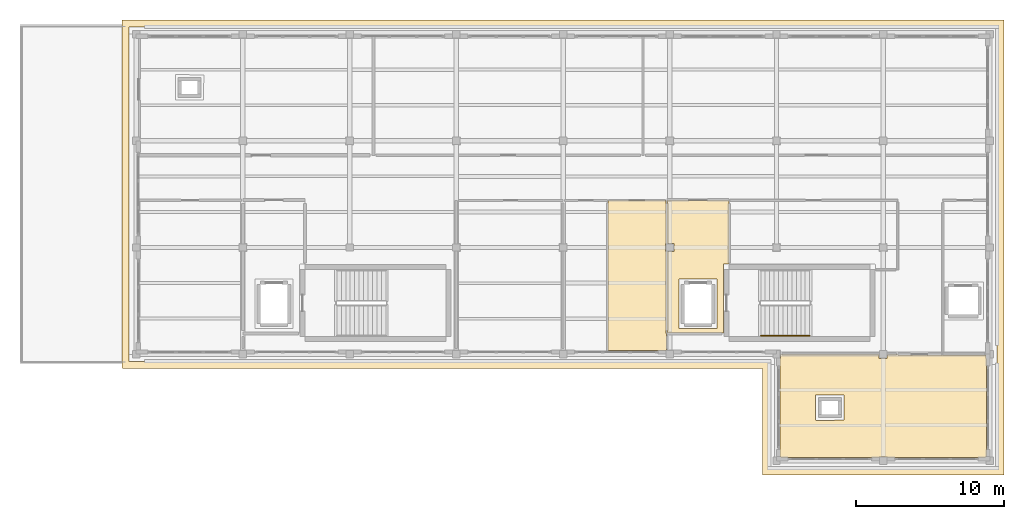
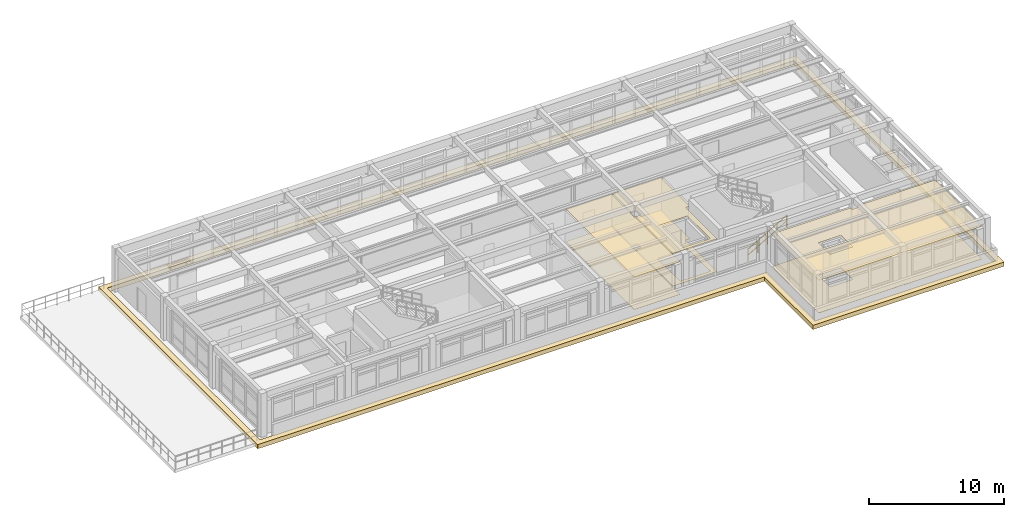
# One storey, part 17 of 18: 7 coverings, 1 railing.
"""IFC4 building model written with IfcOpenShell, lengths in metres."""

from ifc_helpers import new_model, si_unit, direction, frame, origin, origin_2d, place, context, subcontext, project, spatial, polyline, circle, outline, extrude, material, layer, layer_set, type_object, element, save


model = new_model("IFC4")

# Units and contexts
model_context = context("Model", 3, precision=1e-05, world=origin(), true_north=direction((0.0, 1.0)))
body_context = subcontext(model_context, "Body", "Model", "MODEL_VIEW")
ifc_project = project(units=[si_unit("LENGTHUNIT", "METRE"), si_unit("AREAUNIT", "SQUARE_METRE"), si_unit("VOLUMEUNIT", "CUBIC_METRE"), si_unit("PLANEANGLEUNIT", "RADIAN"), si_unit("MASSUNIT", "GRAM", prefix="KILO")], contexts=[model_context])

# Site, building, storey
site_placement = place(None, origin())
site = spatial("IfcSite", under=ifc_project, at=site_placement, CompositionType="ELEMENT")
building_placement = place(site_placement, origin())
building = spatial("IfcBuilding", under=site, at=building_placement, Name="Solenvale Faculty of Natural Sciences", CompositionType="ELEMENT")
storey_placement = place(building_placement, frame((0.0, 0.0, 39.60009765625)))
storey = spatial("IfcBuildingStorey", under=building, at=storey_placement, Name="L09", CompositionType="ELEMENT", Elevation=39.60009765625)

# Coverings
ifc_material_1 = material(Name="Acoustic mineral-timber ceiling", Category="wood")
ifc_layer_1 = layer(ifc_material_1, 0.02490234375)
ifc_layer_set_1 = layer_set([ifc_layer_1], Name="Acoustic mineral-timber ceiling")
covering_type_1 = type_object("IfcCoveringType", Name="COV-CEIL-AC25", PredefinedType="CEILING", material=ifc_layer_set_1)
covering_1_placement = place(storey_placement, frame((0.0, 0.0, 2.934814453125)))
element("IfcCovering", 1, at=covering_1_placement, inside=storey, type_object=covering_type_1, Name="L09 Firefighting Lobby C5 Acoustic Ceiling", PredefinedType="CEILING", context=body_context, shape_type="SweptSolid", body=[
    extrude(outline(polyline([(133.580078125, 99.7099609375), (133.555908203125, 99.680908203125), (133.248046875, 99.679931640625), (133.219970703125, 99.652099609375), (133.212890625, 95.031005859375), (133.18994140625, 95.02001953125), (129.430908203125, 95.027099609375), (129.419921875, 95.050048828125), (129.419921875, 100.498046875), (129.447021484375, 100.52490234375), (129.873046875, 100.529052734375), (129.875, 101.06396484375), (129.864013671875, 101.074951171875), (129.447021484375, 101.074951171875), (129.4208984375, 101.09912109375), (129.419921875, 103.949951171875), (129.428955078125, 103.970947265625), (129.449951171875, 103.97998046875), (133.550048828125, 103.97998046875), (133.571044921875, 103.970947265625), (133.580078125, 103.949951171875), (133.580078125, 99.7099609375)]), holes=[polyline([(130.248046875, 98.679931640625), (130.22802734375, 98.669921875), (130.219970703125, 98.64990234375), (130.22607421875, 95.33203125), (130.25, 95.320068359375), (132.76806640625, 95.325927734375), (132.780029296875, 95.35009765625), (132.77392578125, 98.66796875), (132.75, 98.679931640625), (130.248046875, 98.679931640625)])]), origin(), (0.0, 0.0, 1.0), 0.025146484375),
])
covering_2_placement = place(storey_placement, frame((0.0, 0.0, 2.934814453125)))
element("IfcCovering", 2, at=covering_2_placement, inside=storey, type_object=covering_type_1, Name="L09 Analytical Balance Room Acoustic Ceiling", PredefinedType="CEILING", context=body_context, shape_type="SweptSolid", body=[
    extrude(outline(polyline([(129.366943359375, 93.8798828125), (129.294921875, 93.840087890625), (125.469970703125, 93.840087890625), (125.44189453125, 93.85888671875), (125.43994140625, 103.929931640625), (125.458984375, 103.9580078125), (129.330078125, 103.9599609375), (129.35791015625, 103.94091796875), (129.360107421875, 101.10498046875), (129.324951171875, 101.06591796875), (129.324951171875, 100.535888671875), (129.360107421875, 100.4951171875), (129.360107421875, 95.0), (129.3798828125, 94.950927734375), (129.3798828125, 93.905029296875), (129.366943359375, 93.8798828125)])), origin(), (0.0, 0.0, 1.0), 0.025146484375),
])
covering_3_placement = place(storey_placement, frame((0.0, 0.0, 2.934814453125)))
element("IfcCovering", 3, at=covering_3_placement, inside=storey, type_object=covering_type_1, Name="L09 Seminar Room Acoustic Ceiling", PredefinedType="CEILING", context=body_context, shape_type="SweptSolid", body=[
    extrude(outline(polyline([(137.10498046875, 86.639892578125), (137.048095703125, 86.68408203125), (137.0400390625, 86.705078125), (137.0400390625, 93.294921875), (137.074951171875, 93.3330078125), (137.074951171875, 93.552978515625), (137.091064453125, 93.575927734375), (143.695068359375, 93.580078125), (143.72412109375, 93.555908203125), (143.72509765625, 93.3359375), (143.736083984375, 93.324951171875), (144.26904296875, 93.325927734375), (144.27490234375, 93.552978515625), (144.304931640625, 93.580078125), (144.950927734375, 93.580078125), (145.0, 93.56005859375), (150.89501953125, 93.56005859375), (150.9208984375, 93.5439453125), (150.925048828125, 93.3330078125), (150.9599609375, 93.294921875), (150.9599609375, 86.705078125), (150.909912109375, 86.64404296875), (144.304931640625, 86.639892578125), (144.26611328125, 86.675048828125), (143.736083984375, 86.675048828125), (143.695068359375, 86.639892578125), (137.10498046875, 86.639892578125)]), holes=[polyline([(139.43994140625, 89.16796875), (139.449951171875, 89.14794921875), (139.469970703125, 89.139892578125), (141.35009765625, 89.14794921875), (141.360107421875, 89.169921875), (141.35205078125, 90.85009765625), (141.330078125, 90.860107421875), (139.449951171875, 90.85205078125), (139.43994140625, 90.830078125), (139.43994140625, 89.16796875)])]), origin(), (0.0, 0.0, 1.0), 0.025146484375),
])
ifc_material_2 = material(Name="Polished slate terrazzo flooring", Category="masonry")
ifc_layer_2 = layer(ifc_material_2, 0.01806640625)
ifc_layer_set_2 = layer_set([ifc_layer_2], Name="Polished slate terrazzo flooring")
covering_type_2 = type_object("IfcCoveringType", Name="COV-FLR-TRZ18", PredefinedType="FLOORING", material=ifc_layer_set_2)
covering_4_placement = place(storey_placement, origin())
element("IfcCovering", 4, at=covering_4_placement, inside=storey, type_object=covering_type_2, Name="L09 Firefighting Lobby C5 Floor Finish", PredefinedType="FLOORING", context=body_context, shape_type="SweptSolid", body=[
    extrude(outline(polyline([(133.580078125, 99.7099609375), (133.555908203125, 99.680908203125), (133.248046875, 99.679931640625), (133.219970703125, 99.652099609375), (133.212890625, 95.031005859375), (133.18994140625, 95.02001953125), (129.430908203125, 95.027099609375), (129.419921875, 95.050048828125), (129.419921875, 100.498046875), (129.447021484375, 100.52490234375), (129.873046875, 100.529052734375), (129.875, 101.06396484375), (129.864013671875, 101.074951171875), (129.447021484375, 101.074951171875), (129.4208984375, 101.09912109375), (129.419921875, 103.949951171875), (129.428955078125, 103.970947265625), (129.449951171875, 103.97998046875), (133.550048828125, 103.97998046875), (133.571044921875, 103.970947265625), (133.580078125, 103.949951171875), (133.580078125, 99.7099609375)]), holes=[polyline([(130.248046875, 98.679931640625), (130.22802734375, 98.669921875), (130.219970703125, 98.64990234375), (130.22607421875, 95.33203125), (130.25, 95.320068359375), (132.76806640625, 95.325927734375), (132.780029296875, 95.35009765625), (132.77392578125, 98.66796875), (132.75, 98.679931640625), (130.248046875, 98.679931640625)])]), origin(), (0.0, 0.0, 1.0), 0.017822265625),
])
covering_5_placement = place(storey_placement, origin())
element("IfcCovering", 5, at=covering_5_placement, inside=storey, type_object=covering_type_2, Name="L09 Analytical Balance Room Floor Finish", PredefinedType="FLOORING", context=body_context, shape_type="SweptSolid", body=[
    extrude(outline(polyline([(129.366943359375, 93.8798828125), (129.294921875, 93.840087890625), (125.469970703125, 93.840087890625), (125.44189453125, 93.85888671875), (125.43994140625, 103.929931640625), (125.458984375, 103.9580078125), (129.330078125, 103.9599609375), (129.35791015625, 103.94091796875), (129.360107421875, 101.10498046875), (129.324951171875, 101.06591796875), (129.324951171875, 100.535888671875), (129.360107421875, 100.4951171875), (129.360107421875, 95.0), (129.3798828125, 94.950927734375), (129.3798828125, 93.905029296875), (129.366943359375, 93.8798828125)])), origin(), (0.0, 0.0, 1.0), 0.017822265625),
])
covering_6_placement = place(storey_placement, origin())
element("IfcCovering", 6, at=covering_6_placement, inside=storey, type_object=covering_type_2, Name="L09 Seminar Room Floor Finish", PredefinedType="FLOORING", context=body_context, shape_type="SweptSolid", body=[
    extrude(outline(polyline([(137.10498046875, 86.639892578125), (137.048095703125, 86.68408203125), (137.0400390625, 86.705078125), (137.0400390625, 93.294921875), (137.074951171875, 93.3330078125), (137.074951171875, 93.552978515625), (137.091064453125, 93.575927734375), (143.695068359375, 93.580078125), (143.72412109375, 93.555908203125), (143.72509765625, 93.3359375), (143.736083984375, 93.324951171875), (144.26904296875, 93.325927734375), (144.27490234375, 93.552978515625), (144.304931640625, 93.580078125), (144.950927734375, 93.580078125), (145.0, 93.56005859375), (150.89501953125, 93.56005859375), (150.9208984375, 93.5439453125), (150.925048828125, 93.3330078125), (150.9599609375, 93.294921875), (150.9599609375, 86.705078125), (150.909912109375, 86.64404296875), (144.304931640625, 86.639892578125), (144.26611328125, 86.675048828125), (143.736083984375, 86.675048828125), (143.695068359375, 86.639892578125), (137.10498046875, 86.639892578125)]), holes=[polyline([(139.43994140625, 89.16796875), (139.449951171875, 89.14794921875), (139.469970703125, 89.139892578125), (141.35009765625, 89.14794921875), (141.360107421875, 89.169921875), (141.35205078125, 90.85009765625), (141.330078125, 90.860107421875), (139.449951171875, 90.85205078125), (139.43994140625, 90.830078125), (139.43994140625, 89.16796875)])]), origin(), (0.0, 0.0, 1.0), 0.017822265625),
])
ifc_material_3 = material(Name="Insulated EPDM roofing membrane")
ifc_layer_3 = layer(ifc_material_3, 0.06494140625)
ifc_layer_set_3 = layer_set([ifc_layer_3], Name="Insulated EPDM roofing membrane")
covering_type_3 = type_object("IfcCoveringType", Name="COV-ROOF-MEMB", PredefinedType="ROOFING", material=ifc_layer_set_3)
covering_7_placement = place(storey_placement, frame((0.0, 0.0, -0.340087890625)))
element("IfcCovering", 7, at=covering_7_placement, inside=storey, type_object=covering_type_3, Name="L09 Projecting Horizontal Bronze Concrete Tray Ledge 1", PredefinedType="CLADDING", context=body_context, shape_type="SweptSolid", body=[
    extrude(outline(polyline([(92.669921875, 92.64990234375), (92.656005859375, 92.656005859375), (92.64990234375, 92.669921875), (92.64990234375, 116.1298828125), (92.662109375, 116.14794921875), (152.1298828125, 116.14990234375), (152.14794921875, 116.137939453125), (152.14990234375, 85.469970703125), (152.137939453125, 85.451904296875), (135.862060546875, 85.451904296875), (135.85009765625, 85.469970703125), (135.85009765625, 92.64990234375), (92.669921875, 92.64990234375)]), holes=[polyline([(93.1201171875, 93.1201171875), (136.302001953125, 93.1201171875), (136.31396484375, 93.114013671875), (136.320068359375, 93.10009765625), (136.320068359375, 85.919921875), (151.679931640625, 85.919921875), (151.679931640625, 115.679931640625), (93.1201171875, 115.679931640625), (93.1201171875, 93.1201171875)])]), origin(), (0.0, 0.0, 1.0), 0.3798828125),
])

# Railing
ifc_material_4 = material(Name="Stainless steel Grade 304", Category="steel")
railing_type = type_object("IfcRailingType", Name="RL-HND-900", PredefinedType="HANDRAIL", material=ifc_material_4)
railing_placement = place(storey_placement, frame((135.739990234375, 94.85009765625, 0.1748046875)))
element("IfcRailing", 8, at=railing_placement, inside=storey, type_object=railing_type, Name="L09 ST-05 stair handrail 1", PredefinedType="HANDRAIL", context=body_context, shape_type="SweptSolid", body=[
    extrude(circle(Radius=0.02392578125, at=origin_2d()), frame((0.0, 0.0, 1.0751953125), z_axis=(0.863776583165, 0.0, 0.503874998761), x_axis=(0.0, 1.0, 0.0)), (0.0, 0.0, 1.0), 3.820556640625),
    extrude(circle(Radius=0.01611328125, at=origin_2d()), frame((0.0, 0.0, 0.549560546875), z_axis=(0.863776583165, 0.0, 0.503874998761), x_axis=(0.0, 1.0, 0.0)), (0.0, 0.0, 1.0), 3.820556640625),
    extrude(circle(Radius=0.02099609375, at=origin_2d()), origin(), (0.0, 0.0, 1.0), 1.051025390625),
    extrude(circle(Radius=0.02099609375, at=origin_2d()), frame((0.824951171875, 0.0, 0.481201171875)), (0.0, 0.0, 1.0), 1.051025390625),
    extrude(circle(Radius=0.02099609375, at=origin_2d()), frame((1.64990234375, 0.0, 0.96240234375)), (0.0, 0.0, 1.0), 1.051025390625),
    extrude(circle(Radius=0.02099609375, at=origin_2d()), frame((2.47509765625, 0.0, 1.44384765625)), (0.0, 0.0, 1.0), 1.051025390625),
    extrude(circle(Radius=0.02099609375, at=origin_2d()), frame((3.300048828125, 0.0, 1.925048828125)), (0.0, 0.0, 1.0), 1.051025390625),
])

save(model, "model.ifc")
